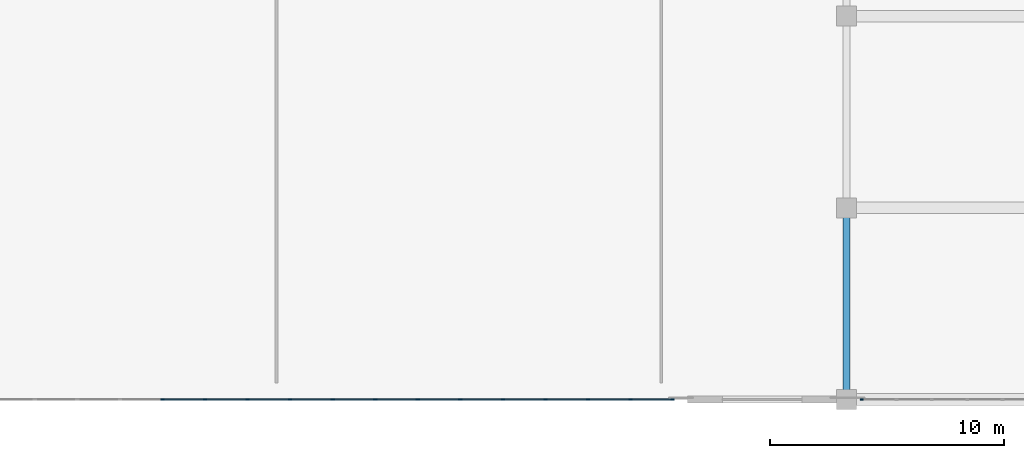
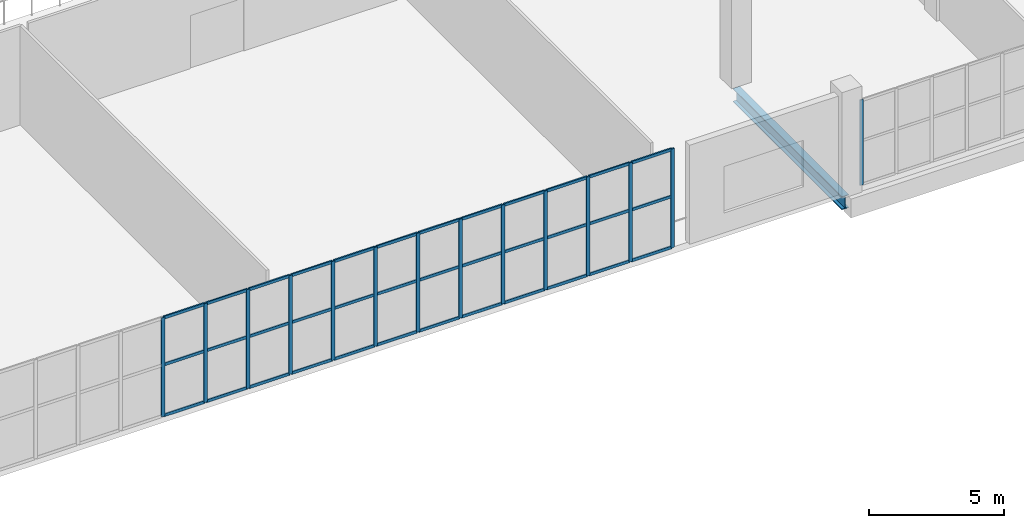
# One storey, part 39 of 142: 50 members, 1 beam, 2 elements without a shape of their own.
"""IFC4 building model written with IfcOpenShell, lengths in metres."""

from ifc_helpers import new_model, si_unit, direction, frame, origin, origin_2d, place, context, subcontext, project, spatial, rectangle, i_section, extrude, material, material_profile, profile_set, type_object, element, aggregate, save


model = new_model("IFC4")

# Units and contexts
model_context = context("Model", 3, precision=1e-05, world=origin(), true_north=direction((0.0, 1.0)))
body_context = subcontext(model_context, "Body", "Model", "MODEL_VIEW")
ifc_project = project(units=[si_unit("LENGTHUNIT", "METRE"), si_unit("AREAUNIT", "SQUARE_METRE"), si_unit("VOLUMEUNIT", "CUBIC_METRE"), si_unit("PLANEANGLEUNIT", "RADIAN"), si_unit("MASSUNIT", "GRAM", prefix="KILO")], contexts=[model_context])

# Site, building, storey
site_placement = place(None, origin())
site = spatial("IfcSite", under=ifc_project, at=site_placement, CompositionType="ELEMENT")
building_placement = place(site_placement, origin())
building = spatial("IfcBuilding", under=site, at=building_placement, Name="Koshinbarg Plaza Stadium", CompositionType="ELEMENT")
storey_placement = place(building_placement, frame((0.0, 0.0, 10.199951171875)))
storey = spatial("IfcBuildingStorey", under=building, at=storey_placement, Name="L02", CompositionType="ELEMENT", Elevation=10.199951171875)

# Beam
ifc_material_1 = material(Name="Steel S355", Category="steel")
ifc_material_profile_1 = material_profile(ifc_material_1, i_section(OverallWidth=0.300048828125, OverallDepth=0.60009765625, WebThickness=0.015380859375, FlangeThickness=0.030029296875, at=origin_2d()), Name="HEB 600")
ifc_profile_set_1 = profile_set([ifc_material_profile_1], Name="Steel S355")
beam_type = type_object("IfcBeamType", Name="BM-SGIR-02", PredefinedType="USERDEFINED", material=ifc_profile_set_1)
beam_placement = place(storey_placement, frame((162.800048828125, 0.06005859375, -0.599853515625), z_axis=(0.0, 1.0, 0.0), x_axis=(-1.0, 0.0, 0.0)))
element("IfcBeam", 1, at=beam_placement, inside=storey, type_object=beam_type, Name="L02 Y girder 15/A-B", ObjectType="GIRDER", PredefinedType="USERDEFINED", context=body_context, shape_type="SweptSolid", body=[
    extrude(i_section(OverallWidth=0.300048828125, OverallDepth=0.60009765625, WebThickness=0.015380859375, FlangeThickness=0.030029296875, at=origin_2d()), origin(), (0.0, 0.0, 1.0), 8.079833984375),
])

# Curtain wall, member
ifc_material_2 = material(Name="Thermally broken anodised aluminium and low-E double glazing", Category="aluminium")
curtain_wall_type_1 = type_object("IfcCurtainWallType", Name="CW-SYS-01", PredefinedType="NOTDEFINED", material=ifc_material_2)
curtain_wall_1_placement = place(storey_placement, origin())
curtain_wall_1 = element("IfcCurtainWall", 2, at=curtain_wall_1_placement, inside=storey, type_object=curtain_wall_type_1, Name="L02 unitised curtain wall CW-L02-064", PredefinedType="NOTDEFINED")
ifc_material_3 = material(Name="Anodised aluminium mullion", Category="aluminium")
ifc_material_profile_2 = material_profile(ifc_material_3, rectangle(XDim=0.06005859375, YDim=0.139892578125, at=origin_2d()), Name="ALU 60x140")
ifc_profile_set_2 = profile_set([ifc_material_profile_2], Name="Anodised aluminium mullion")
member_type_1 = type_object("IfcMemberType", Name="CW-MUL-01", PredefinedType="MULLION", material=ifc_profile_set_2)
member_1_placement = place(storey_placement, frame((163.449951171875, 0.0, 0.0), z_axis=(0.0, 0.0, 1.0), x_axis=(0.0, -1.0, 0.0)))
member_1 = element("IfcMember", 3, at=member_1_placement, type_object=member_type_1, Name="CW01 mullion 6", PredefinedType="MULLION", context=body_context, shape_type="SweptSolid", body=[
    extrude(rectangle(XDim=0.06005859375, YDim=0.139892578125, at=origin_2d()), origin(), (0.0, 0.0, 1.0), 3.860107421875),
])
aggregate(curtain_wall_1, [member_1])

# Curtain wall, members
curtain_wall_type_2 = type_object("IfcCurtainWallType", Name="CW-SYS-02", PredefinedType="NOTDEFINED", material=ifc_material_2)
curtain_wall_2_placement = place(storey_placement, origin())
curtain_wall_2 = element("IfcCurtainWall", 4, at=curtain_wall_2_placement, inside=storey, type_object=curtain_wall_type_2, Name="L02 unitised curtain wall CW-L02-065", PredefinedType="NOTDEFINED")
ifc_material_profile_3 = material_profile(ifc_material_3, rectangle(XDim=0.06005859375, YDim=0.159912109375, at=origin_2d()), Name="ALU 60x160")
ifc_profile_set_3 = profile_set([ifc_material_profile_3], Name="Anodised aluminium mullion")
member_type_2 = type_object("IfcMemberType", Name="CW-MUL-02", PredefinedType="MULLION", material=ifc_profile_set_3)
member_2_placement = place(storey_placement, frame((155.35009765625, 0.0, 0.0), z_axis=(0.0, 0.0, 1.0), x_axis=(0.0, -1.0, 0.0)))
member_2 = element("IfcMember", 5, at=member_2_placement, type_object=member_type_2, Name="CW02 mullion 1", PredefinedType="MULLION", context=body_context, shape_type="SweptSolid", body=[
    extrude(rectangle(XDim=0.06005859375, YDim=0.159912109375, at=origin_2d()), origin(), (0.0, 0.0, 1.0), 4.47998046875),
])
member_3_placement = place(storey_placement, frame((153.56005859375, 0.0, 0.0), z_axis=(0.0, 0.0, 1.0), x_axis=(0.0, -1.0, 0.0)))
member_3 = element("IfcMember", 6, at=member_3_placement, type_object=member_type_2, Name="CW02 mullion 2", PredefinedType="MULLION", context=body_context, shape_type="SweptSolid", body=[
    extrude(rectangle(XDim=0.06005859375, YDim=0.159912109375, at=origin_2d()), origin(), (0.0, 0.0, 1.0), 4.47998046875),
])
member_4_placement = place(storey_placement, frame((151.739990234375, 0.0, 0.0), z_axis=(0.0, 0.0, 1.0), x_axis=(0.0, -1.0, 0.0)))
member_4 = element("IfcMember", 7, at=member_4_placement, type_object=member_type_2, Name="CW02 mullion 3", PredefinedType="MULLION", context=body_context, shape_type="SweptSolid", body=[
    extrude(rectangle(XDim=0.06005859375, YDim=0.159912109375, at=origin_2d()), origin(), (0.0, 0.0, 1.0), 4.47998046875),
])
member_5_placement = place(storey_placement, frame((149.919921875, 0.0, 0.0), z_axis=(0.0, 0.0, 1.0), x_axis=(0.0, -1.0, 0.0)))
member_5 = element("IfcMember", 8, at=member_5_placement, type_object=member_type_2, Name="CW02 mullion 4", PredefinedType="MULLION", context=body_context, shape_type="SweptSolid", body=[
    extrude(rectangle(XDim=0.06005859375, YDim=0.159912109375, at=origin_2d()), origin(), (0.0, 0.0, 1.0), 4.47998046875),
])
member_6_placement = place(storey_placement, frame((148.10009765625, 0.0, 0.0), z_axis=(0.0, 0.0, 1.0), x_axis=(0.0, -1.0, 0.0)))
member_6 = element("IfcMember", 9, at=member_6_placement, type_object=member_type_2, Name="CW02 mullion 5", PredefinedType="MULLION", context=body_context, shape_type="SweptSolid", body=[
    extrude(rectangle(XDim=0.06005859375, YDim=0.159912109375, at=origin_2d()), origin(), (0.0, 0.0, 1.0), 4.47998046875),
])
member_7_placement = place(storey_placement, frame((146.280029296875, 0.0, 0.0), z_axis=(0.0, 0.0, 1.0), x_axis=(0.0, -1.0, 0.0)))
member_7 = element("IfcMember", 10, at=member_7_placement, type_object=member_type_2, Name="CW02 mullion 6", PredefinedType="MULLION", context=body_context, shape_type="SweptSolid", body=[
    extrude(rectangle(XDim=0.06005859375, YDim=0.159912109375, at=origin_2d()), origin(), (0.0, 0.0, 1.0), 4.47998046875),
])
member_8_placement = place(storey_placement, frame((144.4599609375, 0.0, 0.0), z_axis=(0.0, 0.0, 1.0), x_axis=(0.0, -1.0, 0.0)))
member_8 = element("IfcMember", 11, at=member_8_placement, type_object=member_type_2, Name="CW02 mullion 7", PredefinedType="MULLION", context=body_context, shape_type="SweptSolid", body=[
    extrude(rectangle(XDim=0.06005859375, YDim=0.159912109375, at=origin_2d()), origin(), (0.0, 0.0, 1.0), 4.47998046875),
])
member_9_placement = place(storey_placement, frame((142.639892578125, 0.0, 0.0), z_axis=(0.0, 0.0, 1.0), x_axis=(0.0, -1.0, 0.0)))
member_9 = element("IfcMember", 12, at=member_9_placement, type_object=member_type_2, Name="CW02 mullion 8", PredefinedType="MULLION", context=body_context, shape_type="SweptSolid", body=[
    extrude(rectangle(XDim=0.06005859375, YDim=0.159912109375, at=origin_2d()), origin(), (0.0, 0.0, 1.0), 4.47998046875),
])
member_10_placement = place(storey_placement, frame((140.820068359375, 0.0, 0.0), z_axis=(0.0, 0.0, 1.0), x_axis=(0.0, -1.0, 0.0)))
member_10 = element("IfcMember", 13, at=member_10_placement, type_object=member_type_2, Name="CW02 mullion 9", PredefinedType="MULLION", context=body_context, shape_type="SweptSolid", body=[
    extrude(rectangle(XDim=0.06005859375, YDim=0.159912109375, at=origin_2d()), origin(), (0.0, 0.0, 1.0), 4.47998046875),
])
member_11_placement = place(storey_placement, frame((139.0, 0.0, 0.0), z_axis=(0.0, 0.0, 1.0), x_axis=(0.0, -1.0, 0.0)))
member_11 = element("IfcMember", 14, at=member_11_placement, type_object=member_type_2, Name="CW02 mullion 10", PredefinedType="MULLION", context=body_context, shape_type="SweptSolid", body=[
    extrude(rectangle(XDim=0.06005859375, YDim=0.159912109375, at=origin_2d()), origin(), (0.0, 0.0, 1.0), 4.47998046875),
])
member_12_placement = place(storey_placement, frame((137.179931640625, 0.0, 0.0), z_axis=(0.0, 0.0, 1.0), x_axis=(0.0, -1.0, 0.0)))
member_12 = element("IfcMember", 15, at=member_12_placement, type_object=member_type_2, Name="CW02 mullion 11", PredefinedType="MULLION", context=body_context, shape_type="SweptSolid", body=[
    extrude(rectangle(XDim=0.06005859375, YDim=0.159912109375, at=origin_2d()), origin(), (0.0, 0.0, 1.0), 4.47998046875),
])
member_13_placement = place(storey_placement, frame((135.360107421875, 0.0, 0.0), z_axis=(0.0, 0.0, 1.0), x_axis=(0.0, -1.0, 0.0)))
member_13 = element("IfcMember", 16, at=member_13_placement, type_object=member_type_2, Name="CW02 mullion 12", PredefinedType="MULLION", context=body_context, shape_type="SweptSolid", body=[
    extrude(rectangle(XDim=0.06005859375, YDim=0.159912109375, at=origin_2d()), origin(), (0.0, 0.0, 1.0), 4.47998046875),
])
member_14_placement = place(storey_placement, frame((133.5400390625, 0.0, 0.0), z_axis=(0.0, 0.0, 1.0), x_axis=(0.0, -1.0, 0.0)))
member_14 = element("IfcMember", 17, at=member_14_placement, type_object=member_type_2, Name="CW02 mullion 13", PredefinedType="MULLION", context=body_context, shape_type="SweptSolid", body=[
    extrude(rectangle(XDim=0.06005859375, YDim=0.159912109375, at=origin_2d()), origin(), (0.0, 0.0, 1.0), 4.47998046875),
])
ifc_material_4 = material(Name="Anodised aluminium transom", Category="aluminium")
ifc_material_profile_4 = material_profile(ifc_material_4, rectangle(XDim=0.06005859375, YDim=0.1298828125, at=origin_2d()), Name="ALU 60x130")
ifc_profile_set_4 = profile_set([ifc_material_profile_4], Name="Anodised aluminium transom")
member_type_3 = type_object("IfcMemberType", Name="CW-TRN-02", PredefinedType="USERDEFINED", material=ifc_profile_set_4)
member_15_placement = place(storey_placement, frame((155.320068359375, 0.0, 0.030029296875), z_axis=(-1.0, 0.0, 0.0), x_axis=(0.0, -1.0, 0.0)))
member_15 = element("IfcMember", 18, at=member_15_placement, type_object=member_type_3, Name="CW02 transom 1.1", ObjectType="TRANSOM", PredefinedType="USERDEFINED", context=body_context, shape_type="SweptSolid", body=[
    extrude(rectangle(XDim=0.06005859375, YDim=0.1298828125, at=origin_2d()), origin(), (0.0, 0.0, 1.0), 1.72998046875),
])
member_16_placement = place(storey_placement, frame((155.320068359375, 0.0, 2.32958984375), z_axis=(-1.0, 0.0, 0.0), x_axis=(0.0, -1.0, 0.0)))
member_16 = element("IfcMember", 19, at=member_16_placement, type_object=member_type_3, Name="CW02 transom 1.2", ObjectType="TRANSOM", PredefinedType="USERDEFINED", context=body_context, shape_type="SweptSolid", body=[
    extrude(rectangle(XDim=0.06005859375, YDim=0.1298828125, at=origin_2d()), origin(), (0.0, 0.0, 1.0), 1.72998046875),
])
member_17_placement = place(storey_placement, frame((155.320068359375, 0.0, 4.449951171875), z_axis=(-1.0, 0.0, 0.0), x_axis=(0.0, -1.0, 0.0)))
member_17 = element("IfcMember", 20, at=member_17_placement, type_object=member_type_3, Name="CW02 transom 1.3", ObjectType="TRANSOM", PredefinedType="USERDEFINED", context=body_context, shape_type="SweptSolid", body=[
    extrude(rectangle(XDim=0.06005859375, YDim=0.1298828125, at=origin_2d()), origin(), (0.0, 0.0, 1.0), 1.72998046875),
])
member_18_placement = place(storey_placement, frame((153.530029296875, 0.0, 0.030029296875), z_axis=(-1.0, 0.0, 0.0), x_axis=(0.0, -1.0, 0.0)))
member_18 = element("IfcMember", 21, at=member_18_placement, type_object=member_type_3, Name="CW02 transom 2.1", ObjectType="TRANSOM", PredefinedType="USERDEFINED", context=body_context, shape_type="SweptSolid", body=[
    extrude(rectangle(XDim=0.06005859375, YDim=0.1298828125, at=origin_2d()), origin(), (0.0, 0.0, 1.0), 1.760009765625),
])
member_19_placement = place(storey_placement, frame((153.530029296875, 0.0, 2.32958984375), z_axis=(-1.0, 0.0, 0.0), x_axis=(0.0, -1.0, 0.0)))
member_19 = element("IfcMember", 22, at=member_19_placement, type_object=member_type_3, Name="CW02 transom 2.2", ObjectType="TRANSOM", PredefinedType="USERDEFINED", context=body_context, shape_type="SweptSolid", body=[
    extrude(rectangle(XDim=0.06005859375, YDim=0.1298828125, at=origin_2d()), origin(), (0.0, 0.0, 1.0), 1.760009765625),
])
member_20_placement = place(storey_placement, frame((153.530029296875, 0.0, 4.449951171875), z_axis=(-1.0, 0.0, 0.0), x_axis=(0.0, -1.0, 0.0)))
member_20 = element("IfcMember", 23, at=member_20_placement, type_object=member_type_3, Name="CW02 transom 2.3", ObjectType="TRANSOM", PredefinedType="USERDEFINED", context=body_context, shape_type="SweptSolid", body=[
    extrude(rectangle(XDim=0.06005859375, YDim=0.1298828125, at=origin_2d()), origin(), (0.0, 0.0, 1.0), 1.760009765625),
])
member_21_placement = place(storey_placement, frame((151.7099609375, 0.0, 0.030029296875), z_axis=(-1.0, 0.0, 0.0), x_axis=(0.0, -1.0, 0.0)))
member_21 = element("IfcMember", 24, at=member_21_placement, type_object=member_type_3, Name="CW02 transom 3.1", ObjectType="TRANSOM", PredefinedType="USERDEFINED", context=body_context, shape_type="SweptSolid", body=[
    extrude(rectangle(XDim=0.06005859375, YDim=0.1298828125, at=origin_2d()), origin(), (0.0, 0.0, 1.0), 1.760009765625),
])
member_22_placement = place(storey_placement, frame((151.7099609375, 0.0, 2.32958984375), z_axis=(-1.0, 0.0, 0.0), x_axis=(0.0, -1.0, 0.0)))
member_22 = element("IfcMember", 25, at=member_22_placement, type_object=member_type_3, Name="CW02 transom 3.2", ObjectType="TRANSOM", PredefinedType="USERDEFINED", context=body_context, shape_type="SweptSolid", body=[
    extrude(rectangle(XDim=0.06005859375, YDim=0.1298828125, at=origin_2d()), origin(), (0.0, 0.0, 1.0), 1.760009765625),
])
member_23_placement = place(storey_placement, frame((151.7099609375, 0.0, 4.449951171875), z_axis=(-1.0, 0.0, 0.0), x_axis=(0.0, -1.0, 0.0)))
member_23 = element("IfcMember", 26, at=member_23_placement, type_object=member_type_3, Name="CW02 transom 3.3", ObjectType="TRANSOM", PredefinedType="USERDEFINED", context=body_context, shape_type="SweptSolid", body=[
    extrude(rectangle(XDim=0.06005859375, YDim=0.1298828125, at=origin_2d()), origin(), (0.0, 0.0, 1.0), 1.760009765625),
])
member_24_placement = place(storey_placement, frame((149.889892578125, 0.0, 0.030029296875), z_axis=(-1.0, 0.0, 0.0), x_axis=(0.0, -1.0, 0.0)))
member_24 = element("IfcMember", 27, at=member_24_placement, type_object=member_type_3, Name="CW02 transom 4.1", ObjectType="TRANSOM", PredefinedType="USERDEFINED", context=body_context, shape_type="SweptSolid", body=[
    extrude(rectangle(XDim=0.06005859375, YDim=0.1298828125, at=origin_2d()), origin(), (0.0, 0.0, 1.0), 1.760009765625),
])
member_25_placement = place(storey_placement, frame((149.889892578125, 0.0, 2.32958984375), z_axis=(-1.0, 0.0, 0.0), x_axis=(0.0, -1.0, 0.0)))
member_25 = element("IfcMember", 28, at=member_25_placement, type_object=member_type_3, Name="CW02 transom 4.2", ObjectType="TRANSOM", PredefinedType="USERDEFINED", context=body_context, shape_type="SweptSolid", body=[
    extrude(rectangle(XDim=0.06005859375, YDim=0.1298828125, at=origin_2d()), origin(), (0.0, 0.0, 1.0), 1.760009765625),
])
member_26_placement = place(storey_placement, frame((149.889892578125, 0.0, 4.449951171875), z_axis=(-1.0, 0.0, 0.0), x_axis=(0.0, -1.0, 0.0)))
member_26 = element("IfcMember", 29, at=member_26_placement, type_object=member_type_3, Name="CW02 transom 4.3", ObjectType="TRANSOM", PredefinedType="USERDEFINED", context=body_context, shape_type="SweptSolid", body=[
    extrude(rectangle(XDim=0.06005859375, YDim=0.1298828125, at=origin_2d()), origin(), (0.0, 0.0, 1.0), 1.760009765625),
])
member_27_placement = place(storey_placement, frame((148.070068359375, 0.0, 0.030029296875), z_axis=(-1.0, 0.0, 0.0), x_axis=(0.0, -1.0, 0.0)))
member_27 = element("IfcMember", 30, at=member_27_placement, type_object=member_type_3, Name="CW02 transom 5.1", ObjectType="TRANSOM", PredefinedType="USERDEFINED", context=body_context, shape_type="SweptSolid", body=[
    extrude(rectangle(XDim=0.06005859375, YDim=0.1298828125, at=origin_2d()), origin(), (0.0, 0.0, 1.0), 1.760009765625),
])
member_28_placement = place(storey_placement, frame((148.070068359375, 0.0, 2.32958984375), z_axis=(-1.0, 0.0, 0.0), x_axis=(0.0, -1.0, 0.0)))
member_28 = element("IfcMember", 31, at=member_28_placement, type_object=member_type_3, Name="CW02 transom 5.2", ObjectType="TRANSOM", PredefinedType="USERDEFINED", context=body_context, shape_type="SweptSolid", body=[
    extrude(rectangle(XDim=0.06005859375, YDim=0.1298828125, at=origin_2d()), origin(), (0.0, 0.0, 1.0), 1.760009765625),
])
member_29_placement = place(storey_placement, frame((148.070068359375, 0.0, 4.449951171875), z_axis=(-1.0, 0.0, 0.0), x_axis=(0.0, -1.0, 0.0)))
member_29 = element("IfcMember", 32, at=member_29_placement, type_object=member_type_3, Name="CW02 transom 5.3", ObjectType="TRANSOM", PredefinedType="USERDEFINED", context=body_context, shape_type="SweptSolid", body=[
    extrude(rectangle(XDim=0.06005859375, YDim=0.1298828125, at=origin_2d()), origin(), (0.0, 0.0, 1.0), 1.760009765625),
])
member_30_placement = place(storey_placement, frame((146.25, 0.0, 0.030029296875), z_axis=(-1.0, 0.0, 0.0), x_axis=(0.0, -1.0, 0.0)))
member_30 = element("IfcMember", 33, at=member_30_placement, type_object=member_type_3, Name="CW02 transom 6.1", ObjectType="TRANSOM", PredefinedType="USERDEFINED", context=body_context, shape_type="SweptSolid", body=[
    extrude(rectangle(XDim=0.06005859375, YDim=0.1298828125, at=origin_2d()), origin(), (0.0, 0.0, 1.0), 1.760009765625),
])
member_31_placement = place(storey_placement, frame((146.25, 0.0, 2.32958984375), z_axis=(-1.0, 0.0, 0.0), x_axis=(0.0, -1.0, 0.0)))
member_31 = element("IfcMember", 34, at=member_31_placement, type_object=member_type_3, Name="CW02 transom 6.2", ObjectType="TRANSOM", PredefinedType="USERDEFINED", context=body_context, shape_type="SweptSolid", body=[
    extrude(rectangle(XDim=0.06005859375, YDim=0.1298828125, at=origin_2d()), origin(), (0.0, 0.0, 1.0), 1.760009765625),
])
member_32_placement = place(storey_placement, frame((146.25, 0.0, 4.449951171875), z_axis=(-1.0, 0.0, 0.0), x_axis=(0.0, -1.0, 0.0)))
member_32 = element("IfcMember", 35, at=member_32_placement, type_object=member_type_3, Name="CW02 transom 6.3", ObjectType="TRANSOM", PredefinedType="USERDEFINED", context=body_context, shape_type="SweptSolid", body=[
    extrude(rectangle(XDim=0.06005859375, YDim=0.1298828125, at=origin_2d()), origin(), (0.0, 0.0, 1.0), 1.760009765625),
])
member_33_placement = place(storey_placement, frame((144.429931640625, 0.0, 0.030029296875), z_axis=(-1.0, 0.0, 0.0), x_axis=(0.0, -1.0, 0.0)))
member_33 = element("IfcMember", 36, at=member_33_placement, type_object=member_type_3, Name="CW02 transom 7.1", ObjectType="TRANSOM", PredefinedType="USERDEFINED", context=body_context, shape_type="SweptSolid", body=[
    extrude(rectangle(XDim=0.06005859375, YDim=0.1298828125, at=origin_2d()), origin(), (0.0, 0.0, 1.0), 1.760009765625),
])
member_34_placement = place(storey_placement, frame((144.429931640625, 0.0, 2.32958984375), z_axis=(-1.0, 0.0, 0.0), x_axis=(0.0, -1.0, 0.0)))
member_34 = element("IfcMember", 37, at=member_34_placement, type_object=member_type_3, Name="CW02 transom 7.2", ObjectType="TRANSOM", PredefinedType="USERDEFINED", context=body_context, shape_type="SweptSolid", body=[
    extrude(rectangle(XDim=0.06005859375, YDim=0.1298828125, at=origin_2d()), origin(), (0.0, 0.0, 1.0), 1.760009765625),
])
member_35_placement = place(storey_placement, frame((144.429931640625, 0.0, 4.449951171875), z_axis=(-1.0, 0.0, 0.0), x_axis=(0.0, -1.0, 0.0)))
member_35 = element("IfcMember", 38, at=member_35_placement, type_object=member_type_3, Name="CW02 transom 7.3", ObjectType="TRANSOM", PredefinedType="USERDEFINED", context=body_context, shape_type="SweptSolid", body=[
    extrude(rectangle(XDim=0.06005859375, YDim=0.1298828125, at=origin_2d()), origin(), (0.0, 0.0, 1.0), 1.760009765625),
])
member_36_placement = place(storey_placement, frame((142.610107421875, 0.0, 0.030029296875), z_axis=(-1.0, 0.0, 0.0), x_axis=(0.0, -1.0, 0.0)))
member_36 = element("IfcMember", 39, at=member_36_placement, type_object=member_type_3, Name="CW02 transom 8.1", ObjectType="TRANSOM", PredefinedType="USERDEFINED", context=body_context, shape_type="SweptSolid", body=[
    extrude(rectangle(XDim=0.06005859375, YDim=0.1298828125, at=origin_2d()), origin(), (0.0, 0.0, 1.0), 1.760009765625),
])
member_37_placement = place(storey_placement, frame((142.610107421875, 0.0, 2.32958984375), z_axis=(-1.0, 0.0, 0.0), x_axis=(0.0, -1.0, 0.0)))
member_37 = element("IfcMember", 40, at=member_37_placement, type_object=member_type_3, Name="CW02 transom 8.2", ObjectType="TRANSOM", PredefinedType="USERDEFINED", context=body_context, shape_type="SweptSolid", body=[
    extrude(rectangle(XDim=0.06005859375, YDim=0.1298828125, at=origin_2d()), origin(), (0.0, 0.0, 1.0), 1.760009765625),
])
member_38_placement = place(storey_placement, frame((142.610107421875, 0.0, 4.449951171875), z_axis=(-1.0, 0.0, 0.0), x_axis=(0.0, -1.0, 0.0)))
member_38 = element("IfcMember", 41, at=member_38_placement, type_object=member_type_3, Name="CW02 transom 8.3", ObjectType="TRANSOM", PredefinedType="USERDEFINED", context=body_context, shape_type="SweptSolid", body=[
    extrude(rectangle(XDim=0.06005859375, YDim=0.1298828125, at=origin_2d()), origin(), (0.0, 0.0, 1.0), 1.760009765625),
])
member_39_placement = place(storey_placement, frame((140.7900390625, 0.0, 0.030029296875), z_axis=(-1.0, 0.0, 0.0), x_axis=(0.0, -1.0, 0.0)))
member_39 = element("IfcMember", 42, at=member_39_placement, type_object=member_type_3, Name="CW02 transom 9.1", ObjectType="TRANSOM", PredefinedType="USERDEFINED", context=body_context, shape_type="SweptSolid", body=[
    extrude(rectangle(XDim=0.06005859375, YDim=0.1298828125, at=origin_2d()), origin(), (0.0, 0.0, 1.0), 1.760009765625),
])
member_40_placement = place(storey_placement, frame((140.7900390625, 0.0, 2.32958984375), z_axis=(-1.0, 0.0, 0.0), x_axis=(0.0, -1.0, 0.0)))
member_40 = element("IfcMember", 43, at=member_40_placement, type_object=member_type_3, Name="CW02 transom 9.2", ObjectType="TRANSOM", PredefinedType="USERDEFINED", context=body_context, shape_type="SweptSolid", body=[
    extrude(rectangle(XDim=0.06005859375, YDim=0.1298828125, at=origin_2d()), origin(), (0.0, 0.0, 1.0), 1.760009765625),
])
member_41_placement = place(storey_placement, frame((140.7900390625, 0.0, 4.449951171875), z_axis=(-1.0, 0.0, 0.0), x_axis=(0.0, -1.0, 0.0)))
member_41 = element("IfcMember", 44, at=member_41_placement, type_object=member_type_3, Name="CW02 transom 9.3", ObjectType="TRANSOM", PredefinedType="USERDEFINED", context=body_context, shape_type="SweptSolid", body=[
    extrude(rectangle(XDim=0.06005859375, YDim=0.1298828125, at=origin_2d()), origin(), (0.0, 0.0, 1.0), 1.760009765625),
])
member_42_placement = place(storey_placement, frame((138.969970703125, 0.0, 0.030029296875), z_axis=(-1.0, 0.0, 0.0), x_axis=(0.0, -1.0, 0.0)))
member_42 = element("IfcMember", 45, at=member_42_placement, type_object=member_type_3, Name="CW02 transom 10.1", ObjectType="TRANSOM", PredefinedType="USERDEFINED", context=body_context, shape_type="SweptSolid", body=[
    extrude(rectangle(XDim=0.06005859375, YDim=0.1298828125, at=origin_2d()), origin(), (0.0, 0.0, 1.0), 1.760009765625),
])
member_43_placement = place(storey_placement, frame((138.969970703125, 0.0, 2.32958984375), z_axis=(-1.0, 0.0, 0.0), x_axis=(0.0, -1.0, 0.0)))
member_43 = element("IfcMember", 46, at=member_43_placement, type_object=member_type_3, Name="CW02 transom 10.2", ObjectType="TRANSOM", PredefinedType="USERDEFINED", context=body_context, shape_type="SweptSolid", body=[
    extrude(rectangle(XDim=0.06005859375, YDim=0.1298828125, at=origin_2d()), origin(), (0.0, 0.0, 1.0), 1.760009765625),
])
member_44_placement = place(storey_placement, frame((138.969970703125, 0.0, 4.449951171875), z_axis=(-1.0, 0.0, 0.0), x_axis=(0.0, -1.0, 0.0)))
member_44 = element("IfcMember", 47, at=member_44_placement, type_object=member_type_3, Name="CW02 transom 10.3", ObjectType="TRANSOM", PredefinedType="USERDEFINED", context=body_context, shape_type="SweptSolid", body=[
    extrude(rectangle(XDim=0.06005859375, YDim=0.1298828125, at=origin_2d()), origin(), (0.0, 0.0, 1.0), 1.760009765625),
])
member_45_placement = place(storey_placement, frame((137.14990234375, 0.0, 0.030029296875), z_axis=(-1.0, 0.0, 0.0), x_axis=(0.0, -1.0, 0.0)))
member_45 = element("IfcMember", 48, at=member_45_placement, type_object=member_type_3, Name="CW02 transom 11.1", ObjectType="TRANSOM", PredefinedType="USERDEFINED", context=body_context, shape_type="SweptSolid", body=[
    extrude(rectangle(XDim=0.06005859375, YDim=0.1298828125, at=origin_2d()), origin(), (0.0, 0.0, 1.0), 1.760009765625),
])
member_46_placement = place(storey_placement, frame((137.14990234375, 0.0, 2.32958984375), z_axis=(-1.0, 0.0, 0.0), x_axis=(0.0, -1.0, 0.0)))
member_46 = element("IfcMember", 49, at=member_46_placement, type_object=member_type_3, Name="CW02 transom 11.2", ObjectType="TRANSOM", PredefinedType="USERDEFINED", context=body_context, shape_type="SweptSolid", body=[
    extrude(rectangle(XDim=0.06005859375, YDim=0.1298828125, at=origin_2d()), origin(), (0.0, 0.0, 1.0), 1.760009765625),
])
member_47_placement = place(storey_placement, frame((137.14990234375, 0.0, 4.449951171875), z_axis=(-1.0, 0.0, 0.0), x_axis=(0.0, -1.0, 0.0)))
member_47 = element("IfcMember", 50, at=member_47_placement, type_object=member_type_3, Name="CW02 transom 11.3", ObjectType="TRANSOM", PredefinedType="USERDEFINED", context=body_context, shape_type="SweptSolid", body=[
    extrude(rectangle(XDim=0.06005859375, YDim=0.1298828125, at=origin_2d()), origin(), (0.0, 0.0, 1.0), 1.760009765625),
])
member_48_placement = place(storey_placement, frame((135.330078125, 0.0, 0.030029296875), z_axis=(-1.0, 0.0, 0.0), x_axis=(0.0, -1.0, 0.0)))
member_48 = element("IfcMember", 51, at=member_48_placement, type_object=member_type_3, Name="CW02 transom 12.1", ObjectType="TRANSOM", PredefinedType="USERDEFINED", context=body_context, shape_type="SweptSolid", body=[
    extrude(rectangle(XDim=0.06005859375, YDim=0.1298828125, at=origin_2d()), origin(), (0.0, 0.0, 1.0), 1.760009765625),
])
member_49_placement = place(storey_placement, frame((135.330078125, 0.0, 2.32958984375), z_axis=(-1.0, 0.0, 0.0), x_axis=(0.0, -1.0, 0.0)))
member_49 = element("IfcMember", 52, at=member_49_placement, type_object=member_type_3, Name="CW02 transom 12.2", ObjectType="TRANSOM", PredefinedType="USERDEFINED", context=body_context, shape_type="SweptSolid", body=[
    extrude(rectangle(XDim=0.06005859375, YDim=0.1298828125, at=origin_2d()), origin(), (0.0, 0.0, 1.0), 1.760009765625),
])
member_50_placement = place(storey_placement, frame((135.330078125, 0.0, 4.449951171875), z_axis=(-1.0, 0.0, 0.0), x_axis=(0.0, -1.0, 0.0)))
member_50 = element("IfcMember", 53, at=member_50_placement, type_object=member_type_3, Name="CW02 transom 12.3", ObjectType="TRANSOM", PredefinedType="USERDEFINED", context=body_context, shape_type="SweptSolid", body=[
    extrude(rectangle(XDim=0.06005859375, YDim=0.1298828125, at=origin_2d()), origin(), (0.0, 0.0, 1.0), 1.760009765625),
])
aggregate(curtain_wall_2, [member_2, member_3, member_4, member_5, member_6, member_7, member_8, member_9, member_10, member_11, member_12, member_13, member_14, member_15, member_16, member_17, member_18, member_19, member_20, member_21, member_22, member_23, member_24, member_25, member_26, member_27, member_28, member_29, member_30, member_31, member_32, member_33, member_34, member_35, member_36, member_37, member_38, member_39, member_40, member_41, member_42, member_43, member_44, member_45, member_46, member_47, member_48, member_49, member_50])

save(model, "model.ifc")
